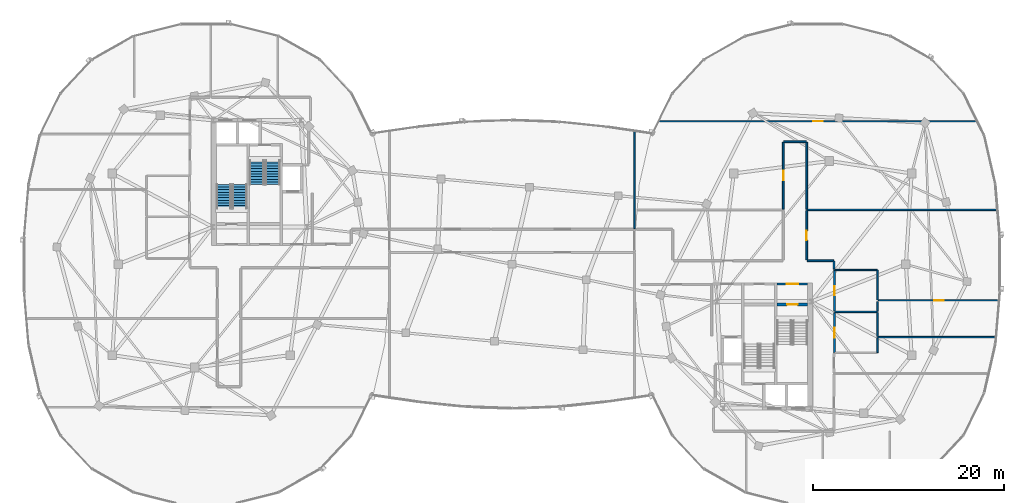
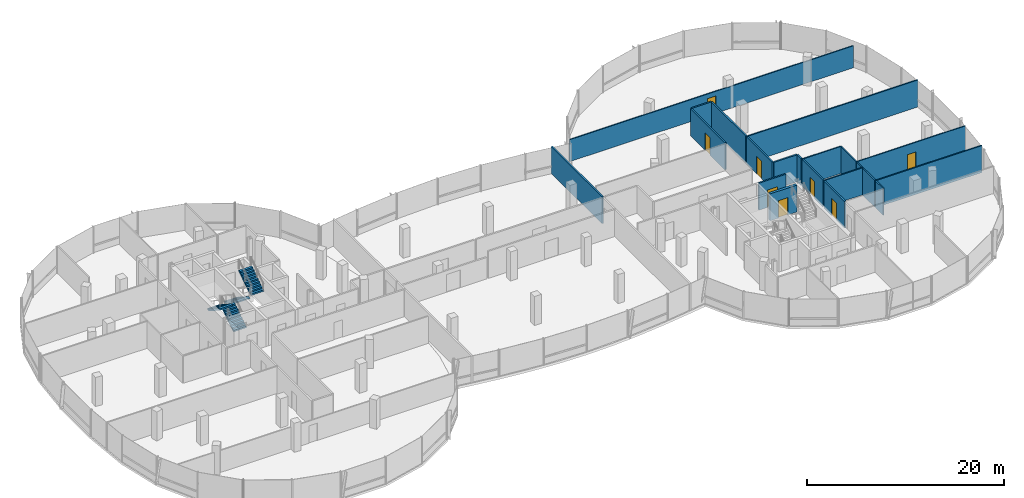
# One storey, part 17 of 26: 21 walls, 8 doors, 4 stair flights, 8 openings, 2 elements without a shape of their own.
"""IFC4 building model written with IfcOpenShell, lengths in metres."""

import ifcopenshell
import ifcopenshell.guid

model = None  # the IFC model being written
_history = None  # IfcOwnerHistory: only IFC2X3 demands one
_inside = {}  # id of a spatial element -> (the spatial element, [elements in it])
_under = {}  # id of a project, library or spatial element -> (it, [spatial elements below it])
_declared = {}  # id of a project -> (the project, [libraries it declares])
_typed = {}  # id of a type object -> (the type object, [elements of that type])
_made_of = {}  # id of a material, layer set ... -> (it, [elements and type objects made of it])


def new_model(schema):
    """Start an empty IFC model of exactly this schema.

    Asked for "IFC4X3", IfcOpenShell would pick the latest addendum, in which some entities
    have other attributes; the version numbers below select the first issue.
    IFC2X3 requires an IfcOwnerHistory on every rooted entity: one is made here for all.
    """
    global model, _history
    if schema == "IFC4X3":
        model = ifcopenshell.file(schema_version=(4, 3, 0, 0))
    else:
        model = ifcopenshell.file(schema=schema)
    _inside.clear()
    _under.clear()
    _declared.clear()
    _typed.clear()
    _made_of.clear()
    _history = None
    if model.schema == "IFC2X3":
        org = make("IfcOrganization", Name="unknown")
        user = make(
            "IfcPersonAndOrganization",
            ThePerson=make("IfcPerson", FamilyName="unknown"),
            TheOrganization=org,
        )
        app = make(
            "IfcApplication",
            ApplicationDeveloper=org,
            Version="unknown",
            ApplicationFullName="unknown",
            ApplicationIdentifier="unknown",
        )
        _history = make(
            "IfcOwnerHistory",
            OwningUser=user,
            OwningApplication=app,
            ChangeAction="ADDED",
            CreationDate=0,
        )
    return model


def make(cls, **values):
    """One entity of the class cls with the attributes given. An attribute that is None is left unset."""
    return model.create_entity(
        cls, **{name: value for name, value in values.items() if value is not None}
    )


def rooted(cls, **values):
    """An entity with a GlobalId (a new one), such as an element, a storey or a relation."""
    return make(cls, GlobalId=ifcopenshell.guid.new(), OwnerHistory=_history, **values)


def si_unit(unit_type, name, prefix=None):
    """IfcSIUnit, for example si_unit("LENGTHUNIT", "METRE", prefix="MILLI")."""
    return make("IfcSIUnit", UnitType=unit_type, Prefix=prefix, Name=name)


def assignment(units):
    """IfcUnitAssignment: the units of a project."""
    return None if units is None else make("IfcUnitAssignment", Units=units)


def point(xyz):
    """IfcCartesianPoint."""
    return None if xyz is None else make("IfcCartesianPoint", Coordinates=xyz)


def direction(xyz):
    """IfcDirection."""
    return None if xyz is None else make("IfcDirection", DirectionRatios=xyz)


def frame(location, z_axis=None, x_axis=None):
    """IfcAxis2Placement3D, a coordinate frame: its origin and axes. An axis left out is left unset."""
    return make(
        "IfcAxis2Placement3D",
        Location=point(location),
        Axis=direction(z_axis),
        RefDirection=direction(x_axis),
    )


def frame_2d(location, x_axis=None):
    """IfcAxis2Placement2D, a coordinate frame in the plane: its origin and x axis."""
    return make(
        "IfcAxis2Placement2D", Location=point(location), RefDirection=direction(x_axis)
    )


def origin():
    """The frame at (0, 0, 0) with its axes left unset."""
    return frame((0.0, 0.0, 0.0))


def place(relative_to, where):
    """IfcLocalPlacement: puts the frame where relative to a parent placement (None: the world)."""
    return make(
        "IfcLocalPlacement", PlacementRelTo=relative_to, RelativePlacement=where
    )


def context(
    kind, dimensions, precision=None, world=None, true_north=None, identifier=None
):
    """IfcGeometricRepresentationContext, for example the 3D "Model" context."""
    return make(
        "IfcGeometricRepresentationContext",
        ContextIdentifier=identifier,
        ContextType=kind,
        CoordinateSpaceDimension=dimensions,
        Precision=precision,
        WorldCoordinateSystem=world,
        TrueNorth=true_north,
    )


def subcontext(parent, identifier, kind, view, scale=None):
    """IfcGeometricRepresentationSubContext, for example "Body" below "Model"."""
    return make(
        "IfcGeometricRepresentationSubContext",
        ContextIdentifier=identifier,
        ContextType=kind,
        ParentContext=parent,
        TargetScale=scale,
        TargetView=view,
    )


def project(units=None, contexts=None):
    """IfcProject with its units and contexts."""
    return rooted(
        "IfcProject",
        Name="project",
        RepresentationContexts=contexts,
        UnitsInContext=assignment(units),
    )


def spatial(cls, under=None, at=None, **own):
    """A site, building, storey or space (cls), placed at a placement, below another one or the project."""
    s = rooted(cls, ObjectPlacement=at, **own)
    if under is not None:
        _under.setdefault(under.id(), (under, []))[1].append(s)
    return s


def polyline(points):
    """IfcPolyline through the points."""
    return make("IfcPolyline", Points=[point(p) for p in points])


def profile(cls, at=None, kind="AREA", **sizes):
    """A parametric profile (cls). Its sizes go by their IFC names, for example OverallWidth=200.0."""
    return make(cls, ProfileType=kind, Position=at, **sizes)


def rectangle(**sizes):
    """IfcRectangleProfileDef."""
    return profile("IfcRectangleProfileDef", **sizes)


def outline(outer, holes=None, kind="AREA"):
    """IfcArbitraryClosedProfileDef: a profile drawn as a closed curve; with holes, ...WithVoids."""
    if holes is None:
        return make("IfcArbitraryClosedProfileDef", ProfileType=kind, OuterCurve=outer)
    return make(
        "IfcArbitraryProfileDefWithVoids",
        ProfileType=kind,
        OuterCurve=outer,
        InnerCurves=holes,
    )


def extrude(swept, where, along, depth):
    """IfcExtrudedAreaSolid: the profile swept, set in the frame where, extruded along a direction by depth."""
    return make(
        "IfcExtrudedAreaSolid",
        SweptArea=swept,
        Position=where,
        ExtrudedDirection=direction(along),
        Depth=depth,
    )


def shape(context_of_items, identifier, shape_type, items):
    """IfcShapeRepresentation: the items that make up one representation, for example the "Body"."""
    return make(
        "IfcShapeRepresentation",
        ContextOfItems=context_of_items,
        RepresentationIdentifier=identifier,
        RepresentationType=shape_type,
        Items=items,
    )


def material(Name=None, Category=None):
    """IfcMaterial."""
    return make("IfcMaterial", Name=Name, Category=Category)


def layer(
    of_material, thickness, ventilated=None, Name=None, Category=None, Priority=None
):
    """IfcMaterialLayer: one layer of a wall or slab, of a material (None: an air gap)."""
    return make(
        "IfcMaterialLayer",
        Material=of_material,
        LayerThickness=thickness,
        IsVentilated=ventilated,
        Name=Name,
        Category=Category,
        Priority=Priority,
    )


def layer_set(layers, Name=None):
    """IfcMaterialLayerSet."""
    return make("IfcMaterialLayerSet", MaterialLayers=layers, LayerSetName=Name)


def made_of(thing, what):
    """Note that an element or type object is made of a material, layer set ...; save() writes the relation."""
    if what is not None:
        _made_of.setdefault(what.id(), (what, []))[1].append(thing)
    return thing


def type_object(cls, material=None, **own):
    """A type object (cls), such as IfcWallType, which elements share."""
    return made_of(rooted(cls, **own), material)


def element(
    cls,
    number,
    at=None,
    inside=None,
    cuts=None,
    type_object=None,
    material=None,
    context=None,
    identifier="Body",
    shape_type=None,
    held_by="IfcProductDefinitionShape",
    body=None,
    shapes=None,
    **own,
):
    """One element of the class cls, such as IfcWall. Its Tag is "e" and its number.

    at: its placement. inside: the storey or other place that contains it. cuts: it is an
    opening in that element (IfcRelVoidsElement). A single representation is given by context,
    identifier, shape_type and body (its items); several are given by shapes. held_by: the class
    of the entity that holds the representations. save() writes the other relations.
    """
    e = rooted(cls, Tag="e%d" % number, ObjectPlacement=at, **own)
    if body is not None:
        shapes = [shape(context, identifier, shape_type, body)]
    if shapes is not None:
        e.Representation = make(held_by, Representations=shapes)
    if inside is not None:
        _inside.setdefault(inside.id(), (inside, []))[1].append(e)
    if cuts is not None:
        rooted(
            "IfcRelVoidsElement", RelatingBuildingElement=cuts, RelatedOpeningElement=e
        )
    if type_object is not None:
        _typed.setdefault(type_object.id(), (type_object, []))[1].append(e)
    return made_of(e, material)


def fill(opening, filler):
    """IfcRelFillsElement: the door or window that sits in an opening."""
    return rooted(
        "IfcRelFillsElement",
        RelatingOpeningElement=opening,
        RelatedBuildingElement=filler,
    )


def aggregate(whole, parts):
    """IfcRelAggregates: a whole, such as a stair, and the parts it consists of."""
    return rooted("IfcRelAggregates", RelatingObject=whole, RelatedObjects=parts)


def save(model, path):
    """Write the relations noted so far, then the file.

    IfcRelAggregates (storeys below a building ...), IfcRelContainedInSpatialStructure (elements
    in a storey), IfcRelDefinesByType, IfcRelAssociatesMaterial and IfcRelDeclares: one each for
    every whole, place, type object, material and project.
    """
    for whole, parts in _under.values():
        aggregate(whole, parts)
    for where, things in _inside.values():
        rooted(
            "IfcRelContainedInSpatialStructure",
            RelatedElements=things,
            RelatingStructure=where,
        )
    for kind, things in _typed.values():
        rooted("IfcRelDefinesByType", RelatedObjects=things, RelatingType=kind)
    for what, things in _made_of.values():
        rooted("IfcRelAssociatesMaterial", RelatedObjects=things, RelatingMaterial=what)
    for by, libraries in _declared.values():
        rooted("IfcRelDeclares", RelatingContext=by, RelatedDefinitions=libraries)
    model.write(path)


model = new_model("IFC4")

# Units and contexts
model_context = context("Model", 3, precision=1e-05, world=origin(), true_north=direction((0.0, 1.0)))
body_context = subcontext(model_context, "Body", "Model", "MODEL_VIEW")
ifc_project = project(units=[si_unit("LENGTHUNIT", "METRE"), si_unit("AREAUNIT", "SQUARE_METRE"), si_unit("VOLUMEUNIT", "CUBIC_METRE"), si_unit("PLANEANGLEUNIT", "RADIAN"), si_unit("MASSUNIT", "GRAM", prefix="KILO"), si_unit("THERMODYNAMICTEMPERATUREUNIT", "KELVIN"), si_unit("POWERUNIT", "WATT")], contexts=[model_context])

# Site, building, storey
site_placement = place(None, origin())
site = spatial("IfcSite", under=ifc_project, at=site_placement, CompositionType="ELEMENT")
building_placement = place(site_placement, origin())
building = spatial("IfcBuilding", under=site, at=building_placement, Name="Cundina Bronze Exchange", CompositionType="ELEMENT")
storey_placement = place(building_placement, frame((0.0, 0.0, 261.199951171875)))
storey = spatial("IfcBuildingStorey", under=building, at=storey_placement, Name="L69", CompositionType="ELEMENT", Elevation=261.199951171875)

# Wall, opening, door
ifc_material_1 = material(Name="Gypsum Fireboard Partition EI120")
ifc_layer_1 = layer(ifc_material_1, 0.179931640625, Name="Gypsum Fireboard Partition EI120")
ifc_layer_set_1 = layer_set([ifc_layer_1], Name="Gypsum Fireboard Partition EI120")
wall_type_1 = type_object("IfcWallType", Name="WL-COR-180", PredefinedType="PARTITIONING", material=ifc_layer_set_1)
wall_1_placement = place(storey_placement, frame((27.739990234375, -2.06005859375, 0.0), z_axis=(0.0, 0.0, 1.0), x_axis=(1.0, 0.0, 0.0)))
wall_1 = element("IfcWall", 1, at=wall_1_placement, inside=storey, type_object=wall_type_1, Name="L69 E Stair Vestibule Exit Wall", PredefinedType="PARTITIONING", context=body_context, shape_type="SweptSolid", body=[
    extrude(rectangle(XDim=3.159912109375, YDim=0.179931640625, at=frame_2d((1.580078125, 0.0))), origin(), (0.0, 0.0, 1.0), 3.340087890625),
])
opening_1_placement = place(wall_1_placement, frame((0.97998046875, 0.0, 0.0)))
opening_1 = element("IfcOpeningElement", 2, at=opening_1_placement, cuts=wall_1, Name="Opening DF-01", PredefinedType="OPENING", context=body_context, shape_type="SweptSolid", body=[
    extrude(rectangle(XDim=1.199951171875, YDim=2.14990234375, at=frame_2d((0.60009765625, 1.074951171875))), frame((0.0, 0.099853515625, 0.0), z_axis=(0.0, -1.0, 0.0), x_axis=(1.0, 0.0, 0.0)), (0.0, 0.0, 1.0), 0.199951171875),
])
ifc_material_2 = material(Name="Steel ASTM A36 Painted", Category="steel")
door_type_1 = type_object("IfcDoorType", Name="DR-FFL-1200", OperationType="NOTDEFINED", PredefinedType="DOOR", material=ifc_material_2)
door_1_placement = place(opening_1_placement, origin())
door_1 = element("IfcDoor", 3, at=door_1_placement, inside=storey, type_object=door_type_1, Name="L69 E Stair Vestibule Door", OperationType="SINGLE_SWING_RIGHT", OverallHeight=2.14990234375, OverallWidth=1.199951171875, PredefinedType="DOOR", context=body_context, shape_type="SweptSolid", body=[
    extrude(rectangle(XDim=1.199951171875, YDim=2.14990234375, at=frame_2d((0.60009765625, 1.074951171875))), frame((0.0, 0.02490234375, 0.0), z_axis=(0.0, -1.0, 0.0), x_axis=(1.0, 0.0, 0.0)), (0.0, 0.0, 1.0), 0.050048828125),
])
fill(opening_1, door_1)

wall_2_placement = place(storey_placement, frame((33.719970703125, -4.8798828125, 0.0), z_axis=(0.0, 0.0, 1.0), x_axis=(0.0, 1.0, 0.0)))
wall_2 = element("IfcWall", 4, at=wall_2_placement, inside=storey, type_object=wall_type_1, Name="L69 Interior Partition 047", PredefinedType="PARTITIONING", context=body_context, shape_type="SweptSolid", body=[
    extrude(rectangle(XDim=4.259765625, YDim=0.179931640625, at=frame_2d((2.1298828125, 0.0))), origin(), (0.0, 0.0, 1.0), 3.340087890625),
])
opening_2_placement = place(wall_2_placement, frame((1.655029296875, 0.0, 0.0)))
opening_2 = element("IfcOpeningElement", 5, at=opening_2_placement, cuts=wall_2, Name="Opening DW-01", PredefinedType="OPENING", context=body_context, shape_type="SweptSolid", body=[
    extrude(rectangle(XDim=0.949951171875, YDim=2.10009765625, at=frame_2d((0.47509765625, 1.050048828125))), frame((0.0, 0.099853515625, 0.0), z_axis=(0.0, -1.0, 0.0), x_axis=(1.0, 0.0, 0.0)), (0.0, 0.0, 1.0), 0.199951171875),
])
ifc_material_3 = material(Name="Solid Andean Oak Timber Grade A", Category="wood")
door_type_2 = type_object("IfcDoorType", Name="DR-WC-950", OperationType="NOTDEFINED", PredefinedType="DOOR", material=ifc_material_3)
door_2_placement = place(opening_2_placement, origin())
door_2 = element("IfcDoor", 6, at=door_2_placement, inside=storey, type_object=door_type_2, Name="L69 Interior Door 047", OperationType="SINGLE_SWING_LEFT", OverallHeight=2.10009765625, OverallWidth=0.949951171875, PredefinedType="DOOR", context=body_context, shape_type="SweptSolid", body=[
    extrude(rectangle(XDim=0.949951171875, YDim=2.10009765625, at=frame_2d((0.47509765625, 1.050048828125))), frame((0.0, 0.02490234375, 0.0), z_axis=(0.0, -1.0, 0.0), x_axis=(1.0, 0.0, 0.0)), (0.0, 0.0, 1.0), 0.050048828125),
])
fill(opening_2, door_2)

wall_3_placement = place(storey_placement, frame((33.719970703125, -9.239990234375, 0.0), z_axis=(0.0, 0.0, 1.0), x_axis=(0.0, 1.0, 0.0)))
wall_3 = element("IfcWall", 7, at=wall_3_placement, inside=storey, type_object=wall_type_1, Name="L69 Interior Partition 048", PredefinedType="PARTITIONING", context=body_context, shape_type="SweptSolid", body=[
    extrude(rectangle(XDim=4.159912109375, YDim=0.179931640625, at=frame_2d((2.080078125, 0.0))), origin(), (0.0, 0.0, 1.0), 3.340087890625),
])
opening_3_placement = place(wall_3_placement, frame((1.580078125, 0.0, 0.0)))
opening_3 = element("IfcOpeningElement", 8, at=opening_3_placement, cuts=wall_3, Name="Opening DO-01", PredefinedType="OPENING", context=body_context, shape_type="SweptSolid", body=[
    extrude(rectangle(XDim=1.0, YDim=2.14990234375, at=frame_2d((0.5, 1.074951171875))), frame((0.0, 0.099853515625, 0.0), z_axis=(0.0, -1.0, 0.0), x_axis=(1.0, 0.0, 0.0)), (0.0, 0.0, 1.0), 0.199951171875),
])
door_type_3 = type_object("IfcDoorType", Name="DR-OFF-1000", OperationType="NOTDEFINED", PredefinedType="DOOR", material=ifc_material_3)
door_3_placement = place(opening_3_placement, origin())
door_3 = element("IfcDoor", 9, at=door_3_placement, inside=storey, type_object=door_type_3, Name="L69 Interior Door 048", OperationType="SINGLE_SWING_RIGHT", OverallHeight=2.14990234375, OverallWidth=1.0, PredefinedType="DOOR", context=body_context, shape_type="SweptSolid", body=[
    extrude(rectangle(XDim=1.0, YDim=2.14990234375, at=frame_2d((0.5, 1.074951171875))), frame((0.0, 0.02490234375, 0.0), z_axis=(0.0, -1.0, 0.0), x_axis=(1.0, 0.0, 0.0)), (0.0, 0.0, 1.0), 0.050048828125),
])
fill(opening_3, door_3)

wall_4_placement = place(storey_placement, frame((30.820068359375, 0.449951171875, 0.0), z_axis=(0.0, 0.0, 1.0), x_axis=(0.0, 1.0, 0.0)))
wall_4 = element("IfcWall", 10, at=wall_4_placement, inside=storey, type_object=wall_type_1, Name="L69 Interior Partition 063", PredefinedType="PARTITIONING", context=body_context, shape_type="SweptSolid", body=[
    extrude(rectangle(XDim=5.150146484375, YDim=0.179931640625, at=frame_2d((2.5751953125, 0.0))), origin(), (0.0, 0.0, 1.0), 3.340087890625),
])
opening_4_placement = place(wall_4_placement, frame((2.074951171875, 0.0, 0.0)))
opening_4 = element("IfcOpeningElement", 11, at=opening_4_placement, cuts=wall_4, Name="Opening DO-01", PredefinedType="OPENING", context=body_context, shape_type="SweptSolid", body=[
    extrude(rectangle(XDim=1.0, YDim=2.14990234375, at=frame_2d((0.5, 1.074951171875))), frame((0.0, 0.099853515625, 0.0), z_axis=(0.0, -1.0, 0.0), x_axis=(1.0, 0.0, 0.0)), (0.0, 0.0, 1.0), 0.199951171875),
])
door_4_placement = place(opening_4_placement, origin())
door_4 = element("IfcDoor", 12, at=door_4_placement, inside=storey, type_object=door_type_3, Name="L69 Interior Door 063", OperationType="SINGLE_SWING_LEFT", OverallHeight=2.14990234375, OverallWidth=1.0, PredefinedType="DOOR", context=body_context, shape_type="SweptSolid", body=[
    extrude(rectangle(XDim=1.0, YDim=2.14990234375, at=frame_2d((0.5, 1.074951171875))), frame((0.0, 0.02490234375, 0.0), z_axis=(0.0, -1.0, 0.0), x_axis=(1.0, 0.0, 0.0)), (0.0, 0.0, 1.0), 0.050048828125),
])
fill(opening_4, door_4)

# Walls
wall_5_placement = place(storey_placement, frame((33.62841796875, 0.3701171875, 0.0), z_axis=(0.0, 0.0, 1.0), x_axis=(-1.0, 0.0, 0.0)))
element("IfcWall", 13, at=wall_5_placement, inside=storey, type_object=wall_type_1, Name="L69 Interior Partition 064", PredefinedType="PARTITIONING", context=body_context, shape_type="SweptSolid", body=[
    extrude(rectangle(XDim=2.728515625, YDim=0.179931640625, at=frame_2d((1.3642578125, 0.0))), origin(), (0.0, 0.0, 1.0), 3.340087890625),
])
wall_6_placement = place(storey_placement, frame((33.669921875, -0.508544921875, 0.0), z_axis=(0.0, 0.0, 1.0), x_axis=(0.0, 1.0, 0.0)))
element("IfcWall", 14, at=wall_6_placement, inside=storey, type_object=wall_type_1, Name="L69 Interior Partition 065", PredefinedType="PARTITIONING", context=body_context, shape_type="SweptSolid", body=[
    extrude(rectangle(XDim=0.837158203125, YDim=0.179931640625, at=frame_2d((0.41845703125, 0.0))), origin(), (0.0, 0.0, 1.0), 3.340087890625),
])

# Wall, opening, door
wall_7_placement = place(storey_placement, frame((28.3798828125, 12.778564453125, 0.0), z_axis=(0.0, 0.0, 1.0), x_axis=(0.0, -1.0, 0.0)))
wall_7 = element("IfcWall", 15, at=wall_7_placement, inside=storey, type_object=wall_type_1, Name="L69 Interior Partition 070", PredefinedType="PARTITIONING", context=body_context, shape_type="SweptSolid", body=[
    extrude(rectangle(XDim=6.99853515625, YDim=0.179931640625, at=frame_2d((3.499267578125, 0.0))), origin(), (0.0, 0.0, 1.0), 3.340087890625),
])
opening_5_placement = place(wall_7_placement, frame((2.999267578125, 0.0, 0.0)))
opening_5 = element("IfcOpeningElement", 16, at=opening_5_placement, cuts=wall_7, Name="Opening DO-01", PredefinedType="OPENING", context=body_context, shape_type="SweptSolid", body=[
    extrude(rectangle(XDim=1.0, YDim=2.14990234375, at=frame_2d((0.5, 1.074951171875))), frame((0.0, 0.099853515625, 0.0), z_axis=(0.0, -1.0, 0.0), x_axis=(1.0, 0.0, 0.0)), (0.0, 0.0, 1.0), 0.199951171875),
])
door_5_placement = place(opening_5_placement, origin())
door_5 = element("IfcDoor", 17, at=door_5_placement, inside=storey, type_object=door_type_3, Name="L69 Interior Door 070", OperationType="SINGLE_SWING_LEFT", OverallHeight=2.14990234375, OverallWidth=1.0, PredefinedType="DOOR", context=body_context, shape_type="SweptSolid", body=[
    extrude(rectangle(XDim=1.0, YDim=2.14990234375, at=frame_2d((0.5, 1.074951171875))), frame((0.0, 0.02490234375, 0.0), z_axis=(0.0, -1.0, 0.0), x_axis=(1.0, 0.0, 0.0)), (0.0, 0.0, 1.0), 0.050048828125),
])
fill(opening_5, door_5)

# Walls
wall_8_placement = place(storey_placement, frame((30.820068359375, 5.780029296875, 0.0), z_axis=(0.0, 0.0, 1.0), x_axis=(0.0, 1.0, 0.0)))
element("IfcWall", 18, at=wall_8_placement, inside=storey, type_object=wall_type_1, Name="L69 Interior Partition 071", PredefinedType="PARTITIONING", context=body_context, shape_type="SweptSolid", body=[
    extrude(rectangle(XDim=6.99853515625, YDim=0.179931640625, at=frame_2d((3.499267578125, 0.0))), origin(), (0.0, 0.0, 1.0), 3.340087890625),
])
wall_9_placement = place(storey_placement, frame((30.778564453125, 12.820068359375, 0.0), z_axis=(0.0, 0.0, 1.0), x_axis=(-1.0, 0.0, 0.0)))
element("IfcWall", 19, at=wall_9_placement, inside=storey, type_object=wall_type_1, Name="L69 Interior Partition 072", PredefinedType="PARTITIONING", context=body_context, shape_type="SweptSolid", body=[
    extrude(rectangle(XDim=2.357177734375, YDim=0.179931640625, at=frame_2d((1.1787109375, 0.0))), origin(), (0.0, 0.0, 1.0), 3.340087890625),
])
wall_10_placement = place(storey_placement, frame((12.800048828125, 3.739990234375, 0.0), z_axis=(0.0, 0.0, 1.0), x_axis=(0.0, 1.0, 0.0)))
element("IfcWall", 20, at=wall_10_placement, inside=storey, type_object=wall_type_1, Name="L69 Interior Partition 084", PredefinedType="PARTITIONING", context=body_context, shape_type="SweptSolid", body=[
    extrude(rectangle(XDim=10.3037109375, YDim=0.179931640625, at=frame_2d((5.15185546875, 0.0))), origin(), (0.0, 0.0, 1.0), 3.340087890625),
])

# Wall, opening, door
ifc_material_4 = material(Name="Gypsum Acoustic Partition EI60")
ifc_layer_2 = layer(ifc_material_4, 0.125, Name="Gypsum Acoustic Partition EI60")
ifc_layer_set_2 = layer_set([ifc_layer_2], Name="Gypsum Acoustic Partition EI60")
wall_type_2 = type_object("IfcWallType", Name="WL-OFF-125", PredefinedType="PARTITIONING", material=ifc_layer_set_2)
wall_11_placement = place(storey_placement, frame((38.320068359375, -3.77001953125, 0.0), z_axis=(0.0, 0.0, 1.0), x_axis=(1.0, 0.0, 0.0)))
wall_11 = element("IfcWall", 21, at=wall_11_placement, inside=storey, type_object=wall_type_2, Name="L69 Interior Partition 073", PredefinedType="PARTITIONING", context=body_context, shape_type="SweptSolid", body=[
    extrude(rectangle(XDim=12.640625, YDim=0.125, at=frame_2d((6.3203125, 0.0))), origin(), (0.0, 0.0, 1.0), 3.340087890625),
])
opening_6_placement = place(wall_11_placement, frame((5.8203125, 0.0, 0.0)))
opening_6 = element("IfcOpeningElement", 22, at=opening_6_placement, cuts=wall_11, Name="Opening DO-01", PredefinedType="OPENING", context=body_context, shape_type="SweptSolid", body=[
    extrude(rectangle(XDim=1.0, YDim=2.14990234375, at=frame_2d((0.5, 1.074951171875))), frame((0.0, 0.072509765625, 0.0), z_axis=(0.0, -1.0, 0.0), x_axis=(1.0, 0.0, 0.0)), (0.0, 0.0, 1.0), 0.14501953125),
])
door_6_placement = place(opening_6_placement, origin())
door_6 = element("IfcDoor", 23, at=door_6_placement, inside=storey, type_object=door_type_3, Name="L69 Interior Door 073", OperationType="SINGLE_SWING_RIGHT", OverallHeight=2.14990234375, OverallWidth=1.0, PredefinedType="DOOR", context=body_context, shape_type="SweptSolid", body=[
    extrude(rectangle(XDim=1.0, YDim=2.14990234375, at=frame_2d((0.5, 1.074951171875))), frame((0.0, 0.02490234375, 0.0), z_axis=(0.0, -1.0, 0.0), x_axis=(1.0, 0.0, 0.0)), (0.0, 0.0, 1.0), 0.050048828125),
])
fill(opening_6, door_6)

wall_12_placement = place(storey_placement, frame((48.631591796875, 14.9599609375, 0.0), z_axis=(0.0, 0.0, 1.0), x_axis=(-1.0, 0.0, 0.0)))
wall_12 = element("IfcWall", 24, at=wall_12_placement, inside=storey, type_object=wall_type_2, Name="L69 Interior Partition 074", PredefinedType="PARTITIONING", context=body_context, shape_type="SweptSolid", body=[
    extrude(rectangle(XDim=33.26318359375, YDim=0.125, at=frame_2d((16.631591796875, 0.0))), origin(), (0.0, 0.0, 1.0), 2.72412109375),
])
opening_7_placement = place(wall_12_placement, frame((16.131591796875, 0.0, 0.0)))
opening_7 = element("IfcOpeningElement", 25, at=opening_7_placement, cuts=wall_12, Name="Opening DO-01", PredefinedType="OPENING", context=body_context, shape_type="SweptSolid", body=[
    extrude(rectangle(XDim=1.0, YDim=2.14990234375, at=frame_2d((0.5, 1.074951171875))), frame((0.0, 0.072509765625, 0.0), z_axis=(0.0, -1.0, 0.0), x_axis=(1.0, 0.0, 0.0)), (0.0, 0.0, 1.0), 0.14501953125),
])
door_7_placement = place(opening_7_placement, origin())
door_7 = element("IfcDoor", 26, at=door_7_placement, inside=storey, type_object=door_type_3, Name="L69 Interior Door 074", OperationType="SINGLE_SWING_RIGHT", OverallHeight=2.14990234375, OverallWidth=1.0, PredefinedType="DOOR", context=body_context, shape_type="SweptSolid", body=[
    extrude(rectangle(XDim=1.0, YDim=2.14990234375, at=frame_2d((0.5, 1.074951171875))), frame((0.0, 0.02490234375, 0.0), z_axis=(0.0, -1.0, 0.0), x_axis=(1.0, 0.0, 0.0)), (0.0, 0.0, 1.0), 0.050048828125),
])
fill(opening_7, door_7)

ifc_material_5 = material(Name="Concrete C50/60", Category="concrete")
ifc_layer_3 = layer(ifc_material_5, 0.300048828125, Name="Concrete C50/60", Category="concrete")
ifc_layer_set_3 = layer_set([ifc_layer_3], Name="Concrete C50/60")
wall_type_3 = type_object("IfcWallType", Name="WL-SHFT-300", PredefinedType="SHEAR", material=ifc_layer_set_3)
wall_13_placement = place(storey_placement, frame((27.739990234375, -4.199951171875, 0.0), z_axis=(0.0, 0.0, 1.0), x_axis=(1.0, 0.0, 0.0)))
wall_13 = element("IfcWall", 27, at=wall_13_placement, inside=storey, type_object=wall_type_3, Name="L69 Stair E1 Landing Wall", PredefinedType="SHEAR", context=body_context, shape_type="SweptSolid", body=[
    extrude(rectangle(XDim=3.159912109375, YDim=0.300048828125, at=frame_2d((1.580078125, 0.0))), origin(), (0.0, 0.0, 1.0), 3.340087890625),
])
opening_8_placement = place(wall_13_placement, frame((1.030029296875, 0.0, 0.0)))
opening_8 = element("IfcOpeningElement", 28, at=opening_8_placement, cuts=wall_13, Name="Opening DS-01", PredefinedType="OPENING", context=body_context, shape_type="SweptSolid", body=[
    extrude(rectangle(XDim=1.10009765625, YDim=2.14990234375, at=frame_2d((0.550048828125, 1.074951171875))), frame((0.0, 0.159912109375, 0.0), z_axis=(0.0, -1.0, 0.0), x_axis=(1.0, 0.0, 0.0)), (0.0, 0.0, 1.0), 0.320068359375),
])
door_type_4 = type_object("IfcDoorType", Name="DR-STR-1100", OperationType="NOTDEFINED", PredefinedType="DOOR", material=ifc_material_2)
door_8_placement = place(opening_8_placement, origin())
door_8 = element("IfcDoor", 29, at=door_8_placement, inside=storey, type_object=door_type_4, Name="L69 Smokeproof Stair E1 Door", OperationType="SINGLE_SWING_LEFT", OverallHeight=2.14990234375, OverallWidth=1.10009765625, PredefinedType="DOOR", context=body_context, shape_type="SweptSolid", body=[
    extrude(rectangle(XDim=1.10009765625, YDim=2.14990234375, at=frame_2d((0.550048828125, 1.074951171875))), frame((0.0, 0.02490234375, 0.0), z_axis=(0.0, -1.0, 0.0), x_axis=(1.0, 0.0, 0.0)), (0.0, 0.0, 1.0), 0.050048828125),
])
fill(opening_8, door_8)

# Walls
ifc_layer_4 = layer(ifc_material_4, 0.14990234375, Name="Gypsum Acoustic Partition EI60")
ifc_layer_set_4 = layer_set([ifc_layer_4], Name="Gypsum Acoustic Partition EI60")
wall_type_4 = type_object("IfcWallType", Name="WL-TEN-150", PredefinedType="PARTITIONING", material=ifc_layer_set_4)
wall_14_placement = place(storey_placement, frame((30.85009765625, 5.68994140625, 0.0), z_axis=(0.0, 0.0, 1.0), x_axis=(1.0, 0.0, 0.0)))
element("IfcWall", 30, at=wall_14_placement, inside=storey, type_object=wall_type_4, Name="L69 Interior Partition 050", PredefinedType="PARTITIONING", context=body_context, shape_type="SweptSolid", body=[
    extrude(rectangle(XDim=20.009521484375, YDim=0.14990234375, at=frame_2d((10.0048828125, 0.0))), origin(), (0.0, 0.0, 1.0), 3.340087890625),
])
wall_15_placement = place(storey_placement, frame((38.27001953125, -7.6201171875, 0.0), z_axis=(0.0, 0.0, 1.0), x_axis=(1.0, 0.0, 0.0)))
element("IfcWall", 31, at=wall_15_placement, inside=storey, type_object=wall_type_4, Name="L69 Interior Partition 051", PredefinedType="PARTITIONING", context=body_context, shape_type="SweptSolid", body=[
    extrude(rectangle(XDim=12.427490234375, YDim=0.14990234375, at=frame_2d((6.2138671875, 0.0))), origin(), (0.0, 0.0, 1.0), 3.340087890625),
])
ifc_material_6 = material(Name="Moisture-Resistant Masonry Block Grade M15", Category="masonry")
ifc_layer_5 = layer(ifc_material_6, 0.139892578125, Name="Moisture-Resistant Masonry Block Grade M15", Category="masonry")
ifc_layer_set_5 = layer_set([ifc_layer_5], Name="Moisture-Resistant Masonry Block Grade M15")
wall_type_5 = type_object("IfcWallType", Name="WL-WET-140", PredefinedType="PARTITIONING", material=ifc_layer_set_5)
wall_16_placement = place(storey_placement, frame((38.239990234375, -9.239990234375, 0.0), z_axis=(0.0, 0.0, 1.0), x_axis=(0.0, 1.0, 0.0)))
element("IfcWall", 32, at=wall_16_placement, inside=storey, type_object=wall_type_5, Name="L69 Interior Partition 040", PredefinedType="PARTITIONING", context=body_context, shape_type="SweptSolid", body=[
    extrude(rectangle(XDim=1.534912109375, YDim=0.139892578125, at=frame_2d((0.767578125, 0.0))), origin(), (0.0, 0.0, 1.0), 3.340087890625),
])
wall_17_placement = place(storey_placement, frame((38.239990234375, -7.534912109375, 0.0), z_axis=(0.0, 0.0, 1.0), x_axis=(0.0, 1.0, 0.0)))
element("IfcWall", 33, at=wall_17_placement, inside=storey, type_object=wall_type_5, Name="L69 Interior Partition 041", PredefinedType="PARTITIONING", context=body_context, shape_type="SweptSolid", body=[
    extrude(rectangle(XDim=2.469970703125, YDim=0.139892578125, at=frame_2d((1.23486328125, 0.0))), origin(), (0.0, 0.0, 1.0), 3.340087890625),
])
wall_18_placement = place(storey_placement, frame((38.239990234375, -4.89501953125, 0.0), z_axis=(0.0, 0.0, 1.0), x_axis=(0.0, 1.0, 0.0)))
element("IfcWall", 34, at=wall_18_placement, inside=storey, type_object=wall_type_5, Name="L69 Interior Partition 042", PredefinedType="PARTITIONING", context=body_context, shape_type="SweptSolid", body=[
    extrude(rectangle(XDim=0.989990234375, YDim=0.139892578125, at=frame_2d((0.4951171875, 0.0))), origin(), (0.0, 0.0, 1.0), 3.340087890625),
])
wall_19_placement = place(storey_placement, frame((38.239990234375, -3.735107421875, 0.0), z_axis=(0.0, 0.0, 1.0), x_axis=(0.0, 1.0, 0.0)))
element("IfcWall", 35, at=wall_19_placement, inside=storey, type_object=wall_type_5, Name="L69 Interior Partition 043", PredefinedType="PARTITIONING", context=body_context, shape_type="SweptSolid", body=[
    extrude(rectangle(XDim=3.114990234375, YDim=0.139892578125, at=frame_2d((1.5576171875, 0.0))), origin(), (0.0, 0.0, 1.0), 3.340087890625),
])
for number, where, z_axis, x_axis, name in (
    (36, (33.739990234375, -0.60009765625, 0.0), (0.0, 0.0, 1.0), (1.0, 0.0, 0.0), "L69 Interior Partition 044"),
    (37, (33.739990234375, -4.97998046875, 0.0), (0.0, 0.0, 1.0), (1.0, 0.0, 0.0), "L69 Interior Partition 045"),
):
    element("IfcWall", number, at=place(storey_placement, frame(where, z_axis=z_axis, x_axis=x_axis)), inside=storey, type_object=wall_type_5, Name=name, PredefinedType="PARTITIONING", context=body_context, shape_type="SweptSolid", body=[
        extrude(rectangle(XDim=4.47998046875, YDim=0.139892578125, at=frame_2d((2.239990234375, 0.0))), origin(), (0.0, 0.0, 1.0), 3.340087890625),
    ])

# Stair, stair flights
ifc_material_7 = material(Name="Concrete C40/50", Category="concrete")
stair_type = type_object("IfcStairType", Name="STR-OFF-360", PredefinedType="HALF_TURN_STAIR", material=ifc_material_7)
stair_1_placement = place(storey_placement, origin())
stair_1 = element("IfcStair", 38, at=stair_1_placement, inside=storey, type_object=stair_type, Name="L69 Smokeproof Exit Stair W1", PredefinedType="HALF_TURN_STAIR")
stair_flight_type = type_object("IfcStairFlightType", Name="FLG-OFF-180", PredefinedType="STRAIGHT", material=ifc_material_7)
stair_flight_1_placement = place(storey_placement, frame((-28.489990234375, 5.85009765625, 0.0), z_axis=(0.0, 0.0, 1.0), x_axis=(0.0, 1.0, 0.0)))
stair_flight_1 = element("IfcStairFlight", 39, at=stair_flight_1_placement, type_object=stair_flight_type, Name="ST-W1 flight 1", NumberOfRisers=10, NumberOfTreads=9, PredefinedType="STRAIGHT", RiserHeight=0.18, TreadLength=0.28, context=body_context, shape_type="SweptSolid", body=[
    extrude(outline(polyline([(0.0, 0.0), (0.0, 0.179931640625), (0.280029296875, 0.179931640625), (0.280029296875, 0.360107421875), (0.56005859375, 0.360107421875), (0.56005859375, 0.5400390625), (0.840087890625, 0.5400390625), (0.840087890625, 0.719970703125), (1.1201171875, 0.719970703125), (1.1201171875, 0.89990234375), (1.39990234375, 0.89990234375), (1.39990234375, 1.080078125), (1.679931640625, 1.080078125), (1.679931640625, 1.260009765625), (1.9599609375, 1.260009765625), (1.9599609375, 1.43994140625), (2.239990234375, 1.43994140625), (2.239990234375, 1.6201171875), (2.52001953125, 1.6201171875), (2.52001953125, 1.800048828125), (2.52001953125, 1.44189453125), (0.277099609375, 0.0), (0.0, 0.0)])), frame((0.0, 0.75, 0.0), z_axis=(0.0, -1.0, 0.0), x_axis=(1.0, 0.0, 0.0)), (0.0, 0.0, 1.0), 1.5),
])
stair_flight_2_placement = place(storey_placement, frame((-30.14990234375, 8.3701171875, 1.800048828125), z_axis=(0.0, 0.0, 1.0), x_axis=(0.0, -1.0, 0.0)))
stair_flight_2 = element("IfcStairFlight", 40, at=stair_flight_2_placement, type_object=stair_flight_type, Name="ST-W1 flight 2", NumberOfRisers=10, NumberOfTreads=9, PredefinedType="STRAIGHT", RiserHeight=0.18, TreadLength=0.28, context=body_context, shape_type="SweptSolid", body=[
    extrude(outline(polyline([(0.0, 0.0), (0.0, 0.179931640625), (0.280029296875, 0.179931640625), (0.280029296875, 0.360107421875), (0.56005859375, 0.360107421875), (0.56005859375, 0.5400390625), (0.840087890625, 0.5400390625), (0.840087890625, 0.719970703125), (1.1201171875, 0.719970703125), (1.1201171875, 0.89990234375), (1.39990234375, 0.89990234375), (1.39990234375, 1.080078125), (1.679931640625, 1.080078125), (1.679931640625, 1.260009765625), (1.9599609375, 1.260009765625), (1.9599609375, 1.43994140625), (2.239990234375, 1.43994140625), (2.239990234375, 1.6201171875), (2.52001953125, 1.6201171875), (2.52001953125, 1.800048828125), (2.52001953125, 1.44189453125), (0.277099609375, 0.0), (0.0, 0.0)])), frame((0.0, 0.75, 0.0), z_axis=(0.0, -1.0, 0.0), x_axis=(1.0, 0.0, 0.0)), (0.0, 0.0, 1.0), 1.5),
])
aggregate(stair_1, [stair_flight_1, stair_flight_2])

stair_2_placement = place(storey_placement, origin())
stair_2 = element("IfcStair", 41, at=stair_2_placement, inside=storey, type_object=stair_type, Name="L69 Smokeproof Exit Stair W2", PredefinedType="HALF_TURN_STAIR")
stair_flight_3_placement = place(storey_placement, frame((-26.68994140625, 10.85009765625, 0.0), z_axis=(0.0, 0.0, 1.0), x_axis=(0.0, -1.0, 0.0)))
stair_flight_3 = element("IfcStairFlight", 42, at=stair_flight_3_placement, type_object=stair_flight_type, Name="ST-W2 flight 1", NumberOfRisers=10, NumberOfTreads=9, PredefinedType="STRAIGHT", RiserHeight=0.18, TreadLength=0.28, context=body_context, shape_type="SweptSolid", body=[
    extrude(outline(polyline([(0.0, 0.0), (0.0, 0.179931640625), (0.280029296875, 0.179931640625), (0.280029296875, 0.360107421875), (0.56005859375, 0.360107421875), (0.56005859375, 0.5400390625), (0.840087890625, 0.5400390625), (0.840087890625, 0.719970703125), (1.1201171875, 0.719970703125), (1.1201171875, 0.89990234375), (1.39990234375, 0.89990234375), (1.39990234375, 1.080078125), (1.679931640625, 1.080078125), (1.679931640625, 1.260009765625), (1.9599609375, 1.260009765625), (1.9599609375, 1.43994140625), (2.239990234375, 1.43994140625), (2.239990234375, 1.6201171875), (2.52001953125, 1.6201171875), (2.52001953125, 1.800048828125), (2.52001953125, 1.44189453125), (0.277099609375, 0.0), (0.0, 0.0)])), frame((0.0, 0.75, 0.0), z_axis=(0.0, -1.0, 0.0), x_axis=(1.0, 0.0, 0.0)), (0.0, 0.0, 1.0), 1.5),
])
stair_flight_4_placement = place(storey_placement, frame((-25.030029296875, 8.330078125, 1.800048828125), z_axis=(0.0, 0.0, 1.0), x_axis=(0.0, 1.0, 0.0)))
stair_flight_4 = element("IfcStairFlight", 43, at=stair_flight_4_placement, type_object=stair_flight_type, Name="ST-W2 flight 2", NumberOfRisers=10, NumberOfTreads=9, PredefinedType="STRAIGHT", RiserHeight=0.18, TreadLength=0.28, context=body_context, shape_type="SweptSolid", body=[
    extrude(outline(polyline([(0.0, 0.0), (0.0, 0.179931640625), (0.280029296875, 0.179931640625), (0.280029296875, 0.360107421875), (0.56005859375, 0.360107421875), (0.56005859375, 0.5400390625), (0.840087890625, 0.5400390625), (0.840087890625, 0.719970703125), (1.1201171875, 0.719970703125), (1.1201171875, 0.89990234375), (1.39990234375, 0.89990234375), (1.39990234375, 1.080078125), (1.679931640625, 1.080078125), (1.679931640625, 1.260009765625), (1.9599609375, 1.260009765625), (1.9599609375, 1.43994140625), (2.239990234375, 1.43994140625), (2.239990234375, 1.6201171875), (2.52001953125, 1.6201171875), (2.52001953125, 1.800048828125), (2.52001953125, 1.44189453125), (0.277099609375, 0.0), (0.0, 0.0)])), frame((0.0, 0.75, 0.0), z_axis=(0.0, -1.0, 0.0), x_axis=(1.0, 0.0, 0.0)), (0.0, 0.0, 1.0), 1.5),
])
aggregate(stair_2, [stair_flight_3, stair_flight_4])

save(model, "model.ifc")
